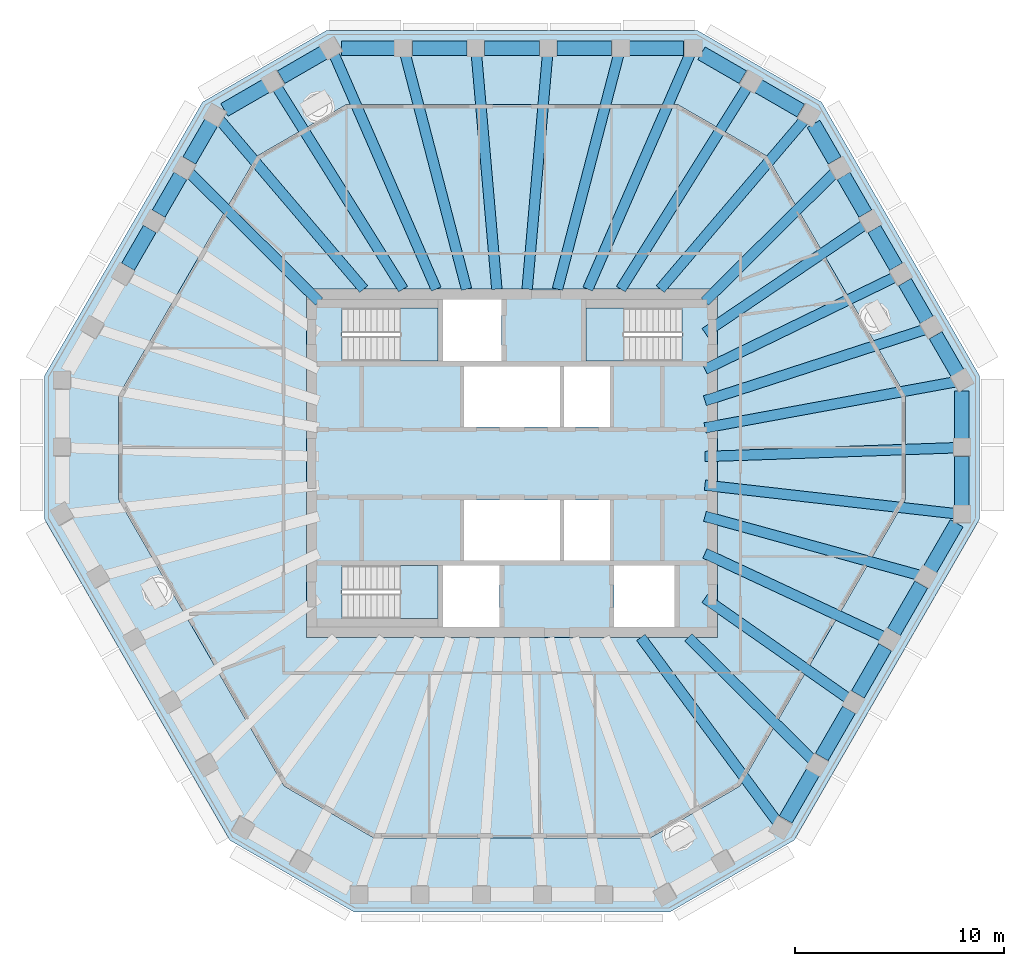
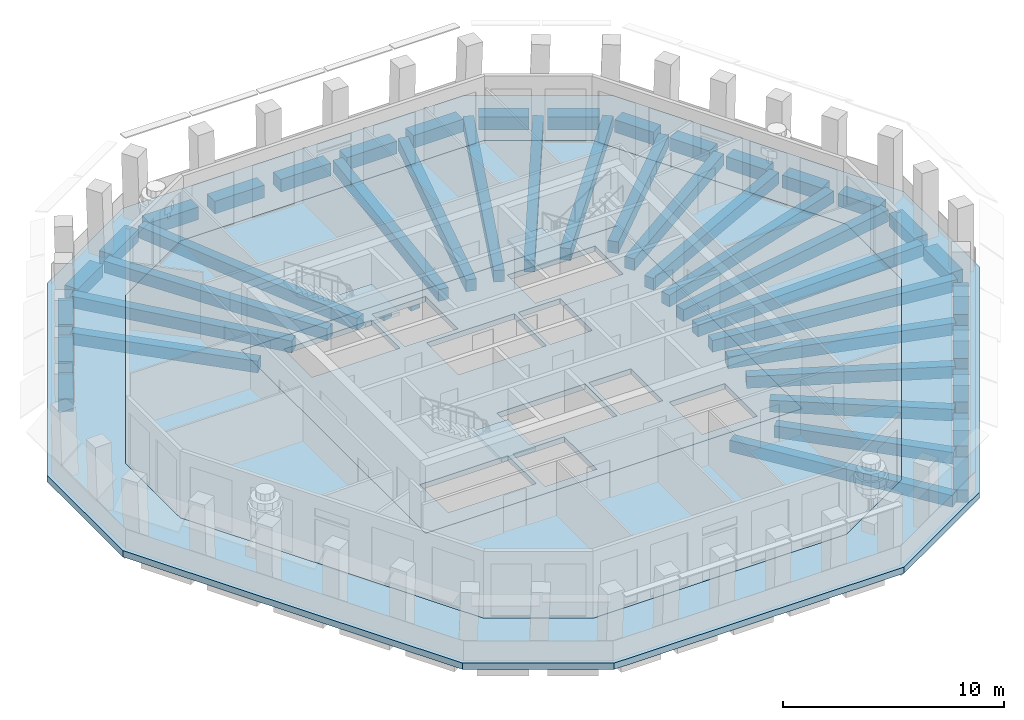
# One storey, part 2 of 11: 47 beams, 6 slabs, 3 elements without a shape of their own.
"""IFC4 building model written with IfcOpenShell, lengths in metres."""

from ifc_helpers import new_model, si_unit, direction, frame, origin, origin_2d, place, context, subcontext, project, spatial, polyline, rectangle, outline, extrude, material, layer, layer_set, material_profile, profile_set, type_object, element, aggregate, save


model = new_model("IFC4")

# Units and contexts
model_context = context("Model", 3, precision=1e-05, world=origin(), true_north=direction((0.0, 1.0)))
body_context = subcontext(model_context, "Body", "Model", "MODEL_VIEW")
ifc_project = project(units=[si_unit("LENGTHUNIT", "METRE"), si_unit("AREAUNIT", "SQUARE_METRE"), si_unit("VOLUMEUNIT", "CUBIC_METRE"), si_unit("PLANEANGLEUNIT", "RADIAN"), si_unit("MASSUNIT", "GRAM", prefix="KILO")], contexts=[model_context])

# Site, building, storey
site_placement = place(None, origin())
site = spatial("IfcSite", under=ifc_project, at=site_placement, CompositionType="ELEMENT")
building_placement = place(site_placement, origin())
building = spatial("IfcBuilding", under=site, at=building_placement, Name="Frailejon Research Tower", CompositionType="ELEMENT")
storey_placement = place(building_placement, frame((0.0, 0.0, 332.60009765625)))
storey = spatial("IfcBuildingStorey", under=building, at=storey_placement, Name="L74", CompositionType="ELEMENT", Elevation=332.60009765625)

# Beams
ifc_material_1 = material(Name="Concrete C60/75", Category="concrete")
ifc_material_profile_1 = material_profile(ifc_material_1, rectangle(XDim=0.5, YDim=0.64990234375, at=origin_2d()), Name="Girder 500x650")
ifc_profile_set_1 = profile_set([ifc_material_profile_1], Name="Concrete C60/75")
beam_type_1 = type_object("IfcBeamType", Name="Girder 500x650", PredefinedType="BEAM", material=ifc_profile_set_1)
beam_1_placement = place(storey_placement, frame((21.287109375, -2.42041015625, -0.625), z_axis=(-0.99359785348, 0.112974800556, 0.0), x_axis=(-0.112974800556, -0.99359785348, 0.0)))
element("IfcBeam", 1, at=beam_1_placement, inside=storey, type_object=beam_type_1, Name="Girder 500x650", PredefinedType="BEAM", context=body_context, shape_type="SweptSolid", body=[
    extrude(rectangle(XDim=0.5, YDim=0.64990234375, at=origin_2d()), origin(), (0.0, 0.0, 1.0), 12.11474609375),
])
beam_2_placement = place(storey_placement, frame((21.287841796875, 0.74462890625, -0.625), z_axis=(-0.999388589906, -0.034963500468, 0.0), x_axis=(0.034963500468, -0.999388589906, 0.0)))
element("IfcBeam", 2, at=beam_2_placement, inside=storey, type_object=beam_type_1, Name="Girder 500x650", PredefinedType="BEAM", context=body_context, shape_type="SweptSolid", body=[
    extrude(rectangle(XDim=0.5, YDim=0.64990234375, at=origin_2d()), origin(), (0.0, 0.0, 1.0), 12.045166015625),
])
beam_3_placement = place(storey_placement, frame((21.266845703125, 3.906005859375, -0.625), z_axis=(-0.983549267448, -0.180640080001, 0.0), x_axis=(0.180640080001, -0.983549267448, 0.0)))
element("IfcBeam", 3, at=beam_3_placement, inside=storey, type_object=beam_type_1, Name="Girder 500x650", PredefinedType="BEAM", context=body_context, shape_type="SweptSolid", body=[
    extrude(rectangle(XDim=0.5, YDim=0.64990234375, at=origin_2d()), origin(), (0.0, 0.0, 1.0), 12.2177734375),
])
beam_4_placement = place(storey_placement, frame((19.822021484375, 6.419189453125, -0.625), z_axis=(-0.951359510506, -0.30808291379, 0.0), x_axis=(0.30808291379, -0.951359510506, 0.0)))
element("IfcBeam", 4, at=beam_4_placement, inside=storey, type_object=beam_type_1, Name="Girder 500x650", PredefinedType="BEAM", context=body_context, shape_type="SweptSolid", body=[
    extrude(rectangle(XDim=0.5, YDim=0.64990234375, at=origin_2d()), origin(), (0.0, 0.0, 1.0), 11.112548828125),
])
beam_5_placement = place(storey_placement, frame((18.3740234375, 8.93310546875, -0.625), z_axis=(-0.899348403181, -0.437232718008, 0.0), x_axis=(0.437232718008, -0.899348403181, 0.0)))
element("IfcBeam", 5, at=beam_5_placement, inside=storey, type_object=beam_type_1, Name="Girder 500x650", PredefinedType="BEAM", context=body_context, shape_type="SweptSolid", body=[
    extrude(rectangle(XDim=0.5, YDim=0.64990234375, at=origin_2d()), origin(), (0.0, 0.0, 1.0), 10.145263671875),
])
beam_6_placement = place(storey_placement, frame((16.923095703125, 11.44580078125, -0.625), z_axis=(-0.828329818022, -0.560240763044, 0.0), x_axis=(0.560240763044, -0.828329818022, 0.0)))
element("IfcBeam", 6, at=beam_6_placement, inside=storey, type_object=beam_type_1, Name="Girder 500x650", PredefinedType="BEAM", context=body_context, shape_type="SweptSolid", body=[
    extrude(rectangle(XDim=0.5, YDim=0.64990234375, at=origin_2d()), origin(), (0.0, 0.0, 1.0), 9.263427734375),
])
beam_7_placement = place(storey_placement, frame((15.476318359375, 13.94287109375, -0.625), z_axis=(-0.709008584421, -0.705199849133, 0.0), x_axis=(0.705199849133, -0.709008584421, 0.0)))
element("IfcBeam", 7, at=beam_7_placement, inside=storey, type_object=beam_type_1, Name="Girder 500x650", PredefinedType="BEAM", context=body_context, shape_type="SweptSolid", body=[
    extrude(rectangle(XDim=0.5, YDim=0.64990234375, at=origin_2d()), origin(), (0.0, 0.0, 1.0), 8.78173828125),
])
beam_8_placement = place(storey_placement, frame((14.0283203125, 16.47900390625, -0.625), z_axis=(-0.64822444311, -0.761449322907, 0.0), x_axis=(0.761449322907, -0.64822444311, 0.0)))
element("IfcBeam", 8, at=beam_8_placement, inside=storey, type_object=beam_type_1, Name="Girder 500x650", PredefinedType="BEAM", context=body_context, shape_type="SweptSolid", body=[
    extrude(rectangle(XDim=0.5, YDim=0.64990234375, at=origin_2d()), origin(), (0.0, 0.0, 1.0), 10.675537109375),
])
beam_9_placement = place(storey_placement, frame((11.288818359375, 18.063720703125, -0.625), z_axis=(-0.529970201852, -0.848016264672, 0.0), x_axis=(0.848016264672, -0.529970201852, 0.0)))
element("IfcBeam", 9, at=beam_9_placement, inside=storey, type_object=beam_type_1, Name="Girder 500x650", PredefinedType="BEAM", context=body_context, shape_type="SweptSolid", body=[
    extrude(rectangle(XDim=0.5, YDim=0.64990234375, at=origin_2d()), origin(), (0.0, 0.0, 1.0), 11.45458984375),
])
beam_10_placement = place(storey_placement, frame((8.532958984375, 19.612548828125, -0.625), z_axis=(-0.398960867485, -0.916967952666, 0.0), x_axis=(0.916967952666, -0.398960867485, 0.0)))
element("IfcBeam", 10, at=beam_10_placement, inside=storey, type_object=beam_type_1, Name="Girder 500x650", PredefinedType="BEAM", context=body_context, shape_type="SweptSolid", body=[
    extrude(rectangle(XDim=0.5, YDim=0.64990234375, at=origin_2d()), origin(), (0.0, 0.0, 1.0), 12.2822265625),
])
beam_11_placement = place(storey_placement, frame((5.121826171875, 19.6201171875, -0.625), z_axis=(-0.252593397221, -0.967572517014, 0.0), x_axis=(0.967572517014, -0.252593397221, 0.0)))
element("IfcBeam", 11, at=beam_11_placement, inside=storey, type_object=beam_type_1, Name="Girder 500x650", PredefinedType="BEAM", context=body_context, shape_type="SweptSolid", body=[
    extrude(rectangle(XDim=0.5, YDim=0.64990234375, at=origin_2d()), origin(), (0.0, 0.0, 1.0), 11.647705078125),
])
for number, where, z_axis, x_axis, name in (
    (12, (1.70751953125, 19.62451171875, -0.625), (-0.086679885548, -0.996236215684, 0.0), (0.996236215684, -0.086679885548, 0.0), "Girder 500x650"),
    (13, (-1.70751953125, 19.62451171875, -0.625), (0.086679885548, -0.996236215684, 0.0), (0.996236215684, 0.086679885548, 0.0), "Girder 500x650"),
):
    element("IfcBeam", number, at=place(storey_placement, frame(where, z_axis=z_axis, x_axis=x_axis)), inside=storey, type_object=beam_type_1, Name=name, PredefinedType="BEAM", context=body_context, shape_type="SweptSolid", body=[
        extrude(rectangle(XDim=0.5, YDim=0.64990234375, at=origin_2d()), origin(), (0.0, 0.0, 1.0), 11.31689453125),
    ])
beam_12_placement = place(storey_placement, frame((-5.121826171875, 19.6201171875, -0.625), z_axis=(0.252593397221, -0.967572517014, 0.0), x_axis=(0.967572517014, 0.252593397221, 0.0)))
element("IfcBeam", 14, at=beam_12_placement, inside=storey, type_object=beam_type_1, Name="Girder 500x650", PredefinedType="BEAM", context=body_context, shape_type="SweptSolid", body=[
    extrude(rectangle(XDim=0.5, YDim=0.64990234375, at=origin_2d()), origin(), (0.0, 0.0, 1.0), 11.647705078125),
])
beam_13_placement = place(storey_placement, frame((-8.54736328125, 19.645263671875, -0.625), z_axis=(0.398972505303, -0.916962889114, 0.0), x_axis=(0.916962889114, 0.398972505303, 0.0)))
element("IfcBeam", 15, at=beam_13_placement, inside=storey, type_object=beam_type_1, Name="Girder 500x650", PredefinedType="BEAM", context=body_context, shape_type="SweptSolid", body=[
    extrude(rectangle(XDim=0.5, YDim=0.64990234375, at=origin_2d()), origin(), (0.0, 0.0, 1.0), 12.318115234375),
])
beam_14_placement = place(storey_placement, frame((-11.288818359375, 18.063720703125, -0.625), z_axis=(0.529970201852, -0.848016264672, 0.0), x_axis=(0.848016264672, 0.529970201852, 0.0)))
element("IfcBeam", 16, at=beam_14_placement, inside=storey, type_object=beam_type_1, Name="Girder 500x650", PredefinedType="BEAM", context=body_context, shape_type="SweptSolid", body=[
    extrude(rectangle(XDim=0.5, YDim=0.64990234375, at=origin_2d()), origin(), (0.0, 0.0, 1.0), 11.45458984375),
])
beam_15_placement = place(storey_placement, frame((-14.01611328125, 16.464599609375, -0.625), z_axis=(0.648227457097, -0.761446757079, 0.0), x_axis=(0.761446757079, 0.648227457097, 0.0)))
element("IfcBeam", 17, at=beam_15_placement, inside=storey, type_object=beam_type_1, Name="Girder 500x650", PredefinedType="BEAM", context=body_context, shape_type="SweptSolid", body=[
    extrude(rectangle(XDim=0.5, YDim=0.64990234375, at=origin_2d()), origin(), (0.0, 0.0, 1.0), 10.65673828125),
])
beam_16_placement = place(storey_placement, frame((-15.476318359375, 13.94287109375, -0.625), z_axis=(0.709008584421, -0.705199849133, 0.0), x_axis=(0.705199849133, 0.709008584421, 0.0)))
element("IfcBeam", 18, at=beam_16_placement, inside=storey, type_object=beam_type_1, Name="Girder 500x650", PredefinedType="BEAM", context=body_context, shape_type="SweptSolid", body=[
    extrude(rectangle(XDim=0.5, YDim=0.64990234375, at=origin_2d()), origin(), (0.0, 0.0, 1.0), 8.78173828125),
])
beam_17_placement = place(storey_placement, frame((12.718505859375, -17.1962890625, -0.625), z_axis=(-0.59463996587, 0.803992108786, 0.0), x_axis=(-0.803992108786, -0.59463996587, 0.0)))
element("IfcBeam", 19, at=beam_17_placement, inside=storey, type_object=beam_type_1, Name="Girder 500x650", PredefinedType="BEAM", context=body_context, shape_type="SweptSolid", body=[
    extrude(rectangle(XDim=0.5, YDim=0.64990234375, at=origin_2d()), origin(), (0.0, 0.0, 1.0), 11.0029296875),
])
beam_18_placement = place(storey_placement, frame((14.4306640625, -14.24560546875, -0.625), z_axis=(-0.711659544092, 0.702524514379, 0.0), x_axis=(-0.702524514379, -0.711659544092, 0.0)))
element("IfcBeam", 20, at=beam_18_placement, inside=storey, type_object=beam_type_1, Name="Girder 500x650", PredefinedType="BEAM", context=body_context, shape_type="SweptSolid", body=[
    extrude(rectangle(XDim=0.5, YDim=0.64990234375, at=origin_2d()), origin(), (0.0, 0.0, 1.0), 8.391845703125),
])
beam_19_placement = place(storey_placement, frame((16.141357421875, -11.291015625, -0.625), z_axis=(-0.819421445567, 0.573191499016, 0.0), x_axis=(-0.573191499016, -0.819421445567, 0.0)))
element("IfcBeam", 21, at=beam_19_placement, inside=storey, type_object=beam_type_1, Name="Girder 500x650", PredefinedType="BEAM", context=body_context, shape_type="SweptSolid", body=[
    extrude(rectangle(XDim=0.5, YDim=0.64990234375, at=origin_2d()), origin(), (0.0, 0.0, 1.0), 8.409912109375),
])
beam_20_placement = place(storey_placement, frame((17.84912109375, -8.33349609375, -0.625), z_axis=(-0.906103600252, 0.423055865827, 0.0), x_axis=(-0.423055865827, -0.906103600252, 0.0)))
element("IfcBeam", 22, at=beam_20_placement, inside=storey, type_object=beam_type_1, Name="Girder 500x650", PredefinedType="BEAM", context=body_context, shape_type="SweptSolid", body=[
    extrude(rectangle(XDim=0.5, YDim=0.64990234375, at=origin_2d()), origin(), (0.0, 0.0, 1.0), 9.490234375),
])
beam_21_placement = place(storey_placement, frame((19.552490234375, -5.37451171875, -0.625), z_axis=(-0.964232990399, 0.265056107695, 0.0), x_axis=(-0.265056107695, -0.964232990399, 0.0)))
element("IfcBeam", 23, at=beam_21_placement, inside=storey, type_object=beam_type_1, Name="Girder 500x650", PredefinedType="BEAM", context=body_context, shape_type="SweptSolid", body=[
    extrude(rectangle(XDim=0.5, YDim=0.64990234375, at=origin_2d()), origin(), (0.0, 0.0, 1.0), 10.6845703125),
])
ifc_material_2 = material(Name="Concrete C60/75", Category="concrete")
ifc_material_profile_2 = material_profile(ifc_material_2, rectangle(XDim=0.699951171875, YDim=0.699951171875, at=origin_2d()), Name="Spandrel 700x700")
ifc_profile_set_2 = profile_set([ifc_material_profile_2], Name="Concrete C60/75")
beam_type_2 = type_object("IfcBeamType", Name="Spandrel 700x700", PredefinedType="BEAM", material=ifc_profile_set_2)
beam_22_placement = place(storey_placement, frame((21.56298828125, -2.02685546875, -0.7001953125), z_axis=(0.0, 1.0, 0.0), x_axis=(-1.0, 0.0, 0.0)))
element("IfcBeam", 24, at=beam_22_placement, inside=storey, type_object=beam_type_2, Name="Spandrel 700x700", PredefinedType="BEAM", context=body_context, shape_type="SweptSolid", body=[
    extrude(rectangle(XDim=0.699951171875, YDim=0.699951171875, at=origin_2d()), origin(), (0.0, 0.0, 1.0), 2.35595703125),
])
beam_23_placement = place(storey_placement, frame((21.56298828125, 1.17919921875, -0.7001953125), z_axis=(0.0, 1.0, 0.0), x_axis=(-1.0, 0.0, 0.0)))
element("IfcBeam", 25, at=beam_23_placement, inside=storey, type_object=beam_type_2, Name="Spandrel 700x700", PredefinedType="BEAM", context=body_context, shape_type="SweptSolid", body=[
    extrude(rectangle(XDim=0.699951171875, YDim=0.699951171875, at=origin_2d()), origin(), (0.0, 0.0, 1.0), 2.290283203125),
])
beam_24_placement = place(storey_placement, frame((21.3505859375, 4.328369140625, -0.7001953125), z_axis=(-0.50003244019, 0.866006673622, 0.0), x_axis=(-0.866006673622, -0.50003244019, 0.0)))
element("IfcBeam", 26, at=beam_24_placement, inside=storey, type_object=beam_type_2, Name="Spandrel 700x700", PredefinedType="BEAM", context=body_context, shape_type="SweptSolid", body=[
    extrude(rectangle(XDim=0.699951171875, YDim=0.699951171875, at=origin_2d()), origin(), (0.0, 0.0, 1.0), 2.090576171875),
])
beam_25_placement = place(storey_placement, frame((19.880126953125, 6.875, -0.7001953125), z_axis=(-0.499981877015, 0.866035866842, 0.0), x_axis=(-0.866035866842, -0.499981877015, 0.0)))
element("IfcBeam", 27, at=beam_25_placement, inside=storey, type_object=beam_type_2, Name="Spandrel 700x700", PredefinedType="BEAM", context=body_context, shape_type="SweptSolid", body=[
    extrude(rectangle(XDim=0.699951171875, YDim=0.699951171875, at=origin_2d()), origin(), (0.0, 0.0, 1.0), 2.0908203125),
])
for number, where, z_axis, x_axis, name in (
    (28, (18.409912109375, 9.421875, -0.7001953125), (-0.50003244019, 0.866006673622, 0.0), (-0.866006673622, -0.50003244019, 0.0), "Spandrel 700x700"),
    (29, (16.939453125, 11.968505859375, -0.7001953125), (-0.50003244019, 0.866006673622, 0.0), (-0.866006673622, -0.50003244019, 0.0), "Spandrel 700x700"),
):
    element("IfcBeam", number, at=place(storey_placement, frame(where, z_axis=z_axis, x_axis=x_axis)), inside=storey, type_object=beam_type_2, Name=name, PredefinedType="BEAM", context=body_context, shape_type="SweptSolid", body=[
        extrude(rectangle(XDim=0.699951171875, YDim=0.699951171875, at=origin_2d()), origin(), (0.0, 0.0, 1.0), 2.090576171875),
    ])
beam_26_placement = place(storey_placement, frame((15.468994140625, 14.515380859375, -0.7001953125), z_axis=(-0.500042536776, 0.866000843773, 0.0), x_axis=(-0.866000843773, -0.500042536776, 0.0)))
element("IfcBeam", 30, at=beam_26_placement, inside=storey, type_object=beam_type_2, Name="Spandrel 700x700", PredefinedType="BEAM", context=body_context, shape_type="SweptSolid", body=[
    extrude(rectangle(XDim=0.699951171875, YDim=0.699951171875, at=origin_2d()), origin(), (0.0, 0.0, 1.0), 2.024658203125),
])
beam_27_placement = place(storey_placement, frame((13.843017578125, 16.906494140625, -0.7001953125), z_axis=(-0.866021643438, 0.500006513054, 0.0), x_axis=(-0.500006513054, -0.866021643438, 0.0)))
element("IfcBeam", 31, at=beam_27_placement, inside=storey, type_object=beam_type_2, Name="Spandrel 700x700", PredefinedType="BEAM", context=body_context, shape_type="SweptSolid", body=[
    extrude(rectangle(XDim=0.699951171875, YDim=0.699951171875, at=origin_2d()), origin(), (0.0, 0.0, 1.0), 2.35595703125),
])
beam_28_placement = place(storey_placement, frame((11.066650390625, 18.509521484375, -0.7001953125), z_axis=(-0.866070215109, 0.499922376475, 0.0), x_axis=(-0.499922376475, -0.866070215109, 0.0)))
element("IfcBeam", 32, at=beam_28_placement, inside=storey, type_object=beam_type_2, Name="Spandrel 700x700", PredefinedType="BEAM", context=body_context, shape_type="SweptSolid", body=[
    extrude(rectangle(XDim=0.699951171875, YDim=0.699951171875, at=origin_2d()), origin(), (0.0, 0.0, 1.0), 2.290283203125),
])
beam_29_placement = place(storey_placement, frame((8.233154296875, 19.89990234375, -0.7001953125), z_axis=(-1.0, 0.0, 0.0), x_axis=(0.0, -1.0, 0.0)))
element("IfcBeam", 33, at=beam_29_placement, inside=storey, type_object=beam_type_2, Name="Spandrel 700x700", PredefinedType="BEAM", context=body_context, shape_type="SweptSolid", body=[
    extrude(rectangle(XDim=0.699951171875, YDim=0.699951171875, at=origin_2d()), origin(), (0.0, 0.0, 1.0), 2.61328125),
])
beam_30_placement = place(storey_placement, frame((4.77001953125, 19.89990234375, -0.7001953125), z_axis=(-1.0, 0.0, 0.0), x_axis=(0.0, -1.0, 0.0)))
element("IfcBeam", 34, at=beam_30_placement, inside=storey, type_object=beam_type_2, Name="Spandrel 700x700", PredefinedType="BEAM", context=body_context, shape_type="SweptSolid", body=[
    extrude(rectangle(XDim=0.699951171875, YDim=0.699951171875, at=origin_2d()), origin(), (0.0, 0.0, 1.0), 2.613525390625),
])
beam_31_placement = place(storey_placement, frame((1.306640625, 19.89990234375, -0.7001953125), z_axis=(-1.0, 0.0, 0.0), x_axis=(0.0, -1.0, 0.0)))
element("IfcBeam", 35, at=beam_31_placement, inside=storey, type_object=beam_type_2, Name="Spandrel 700x700", PredefinedType="BEAM", context=body_context, shape_type="SweptSolid", body=[
    extrude(rectangle(XDim=0.699951171875, YDim=0.699951171875, at=origin_2d()), origin(), (0.0, 0.0, 1.0), 2.61328125),
])
beam_32_placement = place(storey_placement, frame((-2.156494140625, 19.89990234375, -0.7001953125), z_axis=(-1.0, 0.0, 0.0), x_axis=(0.0, -1.0, 0.0)))
element("IfcBeam", 36, at=beam_32_placement, inside=storey, type_object=beam_type_2, Name="Spandrel 700x700", PredefinedType="BEAM", context=body_context, shape_type="SweptSolid", body=[
    extrude(rectangle(XDim=0.699951171875, YDim=0.699951171875, at=origin_2d()), origin(), (0.0, 0.0, 1.0), 2.613525390625),
])
beam_33_placement = place(storey_placement, frame((-5.619873046875, 19.89990234375, -0.7001953125), z_axis=(-1.0, 0.0, 0.0), x_axis=(0.0, -1.0, 0.0)))
element("IfcBeam", 37, at=beam_33_placement, inside=storey, type_object=beam_type_2, Name="Spandrel 700x700", PredefinedType="BEAM", context=body_context, shape_type="SweptSolid", body=[
    extrude(rectangle(XDim=0.699951171875, YDim=0.699951171875, at=origin_2d()), origin(), (0.0, 0.0, 1.0), 2.547607421875),
])
beam_34_placement = place(storey_placement, frame((-9.026123046875, 19.6875, -0.7001953125), z_axis=(-0.866047547699, -0.499961643653, 0.0), x_axis=(0.499961643653, -0.866047547699, 0.0)))
element("IfcBeam", 38, at=beam_34_placement, inside=storey, type_object=beam_type_2, Name="Spandrel 700x700", PredefinedType="BEAM", context=body_context, shape_type="SweptSolid", body=[
    extrude(rectangle(XDim=0.699951171875, YDim=0.699951171875, at=origin_2d()), origin(), (0.0, 0.0, 1.0), 2.356201171875),
])
beam_35_placement = place(storey_placement, frame((-11.802734375, 18.08447265625, -0.7001953125), z_axis=(-0.86599741159, -0.500048480769, 0.0), x_axis=(0.500048480769, -0.86599741159, 0.0)))
element("IfcBeam", 39, at=beam_35_placement, inside=storey, type_object=beam_type_2, Name="Spandrel 700x700", PredefinedType="BEAM", context=body_context, shape_type="SweptSolid", body=[
    extrude(rectangle(XDim=0.699951171875, YDim=0.699951171875, at=origin_2d()), origin(), (0.0, 0.0, 1.0), 2.290283203125),
])
for number, where, z_axis, x_axis, name in (
    (40, (-14.423583984375, 16.32568359375, -0.7001953125), (-0.500083011888, -0.865977471544, 0.0), (0.865977471544, -0.500083011888, 0.0), "Spandrel 700x700"),
    (41, (-15.89404296875, 13.779052734375, -0.7001953125), (-0.50003244019, -0.866006673622, 0.0), (0.866006673622, -0.50003244019, 0.0), "Spandrel 700x700"),
    (42, (-17.364501953125, 11.232421875, -0.7001953125), (-0.50003244019, -0.866006673622, 0.0), (0.866006673622, -0.50003244019, 0.0), "Spandrel 700x700"),
):
    element("IfcBeam", number, at=place(storey_placement, frame(where, z_axis=z_axis, x_axis=x_axis)), inside=storey, type_object=beam_type_2, Name=name, PredefinedType="BEAM", context=body_context, shape_type="SweptSolid", body=[
        extrude(rectangle(XDim=0.699951171875, YDim=0.699951171875, at=origin_2d()), origin(), (0.0, 0.0, 1.0), 2.090576171875),
    ])
beam_36_placement = place(storey_placement, frame((13.1171875, -17.080078125, -0.7001953125), z_axis=(0.50006747008, 0.865986446411, 0.0), x_axis=(-0.865986446411, 0.50006747008, 0.0)))
element("IfcBeam", 43, at=beam_36_placement, inside=storey, type_object=beam_type_2, Name="Spandrel 700x700", PredefinedType="BEAM", context=body_context, shape_type="SweptSolid", body=[
    extrude(rectangle(XDim=0.699951171875, YDim=0.699951171875, at=origin_2d()), origin(), (0.0, 0.0, 1.0), 2.613525390625),
])
beam_37_placement = place(storey_placement, frame((14.84912109375, -14.080810546875, -0.7001953125), z_axis=(0.499927335793, 0.86606735242, 0.0), x_axis=(-0.86606735242, 0.499927335793, 0.0)))
element("IfcBeam", 44, at=beam_37_placement, inside=storey, type_object=beam_type_2, Name="Spandrel 700x700", PredefinedType="BEAM", context=body_context, shape_type="SweptSolid", body=[
    extrude(rectangle(XDim=0.699951171875, YDim=0.699951171875, at=origin_2d()), origin(), (0.0, 0.0, 1.0), 2.61328125),
])
beam_38_placement = place(storey_placement, frame((16.58056640625, -11.08154296875, -0.7001953125), z_axis=(0.500037863578, 0.866003542134, 0.0), x_axis=(-0.866003542134, 0.500037863578, 0.0)))
element("IfcBeam", 45, at=beam_38_placement, inside=storey, type_object=beam_type_2, Name="Spandrel 700x700", PredefinedType="BEAM", context=body_context, shape_type="SweptSolid", body=[
    extrude(rectangle(XDim=0.699951171875, YDim=0.699951171875, at=origin_2d()), origin(), (0.0, 0.0, 1.0), 2.613037109375),
])
beam_39_placement = place(storey_placement, frame((18.312255859375, -8.082275390625, -0.7001953125), z_axis=(0.499997407846, 0.86602690036, 0.0), x_axis=(-0.86602690036, 0.499997407846, 0.0)))
element("IfcBeam", 46, at=beam_39_placement, inside=storey, type_object=beam_type_2, Name="Spandrel 700x700", PredefinedType="BEAM", context=body_context, shape_type="SweptSolid", body=[
    extrude(rectangle(XDim=0.699951171875, YDim=0.699951171875, at=origin_2d()), origin(), (0.0, 0.0, 1.0), 2.61328125),
])
beam_40_placement = place(storey_placement, frame((20.043701171875, -5.0830078125, -0.7001953125), z_axis=(0.500034901704, 0.866005252338, 0.0), x_axis=(-0.866005252338, 0.500034901704, 0.0)))
element("IfcBeam", 47, at=beam_40_placement, inside=storey, type_object=beam_type_2, Name="Spandrel 700x700", PredefinedType="BEAM", context=body_context, shape_type="SweptSolid", body=[
    extrude(rectangle(XDim=0.699951171875, YDim=0.699951171875, at=origin_2d()), origin(), (0.0, 0.0, 1.0), 2.547607421875),
])

# Slabs
ifc_material_3 = material(Name="Concrete C50/60", Category="concrete")
ifc_layer_1 = layer(ifc_material_3, 0.300048828125)
ifc_layer_set_1 = layer_set([ifc_layer_1], Name="Core floor slab 300 C50/60")
slab_type_1 = type_object("IfcSlabType", Name="Core floor slab 300 C50/60", PredefinedType="FLOOR", material=ifc_layer_set_1)
slab_1_placement = place(storey_placement, frame((0.0, 0.0, -0.300048828125)))
element("IfcSlab", 48, at=slab_1_placement, inside=storey, type_object=slab_type_1, Name="Core floor slab", PredefinedType="FLOOR", context=body_context, shape_type="SweptSolid", body=[
    extrude(outline(polyline([(9.85009765625, -8.35009765625), (9.85009765625, 8.35009765625), (-9.85009765625, 8.35009765625), (-9.85009765625, -8.35009765625), (9.85009765625, -8.35009765625)]), holes=[polyline([(2.300048828125, 1.75), (2.300048828125, 4.64990234375), (-2.300048828125, 4.64990234375), (-2.300048828125, 1.75), (2.300048828125, 1.75)]), polyline([(4.699951171875, 1.75), (4.699951171875, 4.64990234375), (2.5, 4.64990234375), (2.5, 1.75), (4.699951171875, 1.75)]), polyline([(2.300048828125, -4.64990234375), (2.300048828125, -1.75), (-2.300048828125, -1.75), (-2.300048828125, -4.64990234375), (2.300048828125, -4.64990234375)]), polyline([(4.699951171875, -4.64990234375), (4.699951171875, -1.75), (2.5, -1.75), (2.5, -4.64990234375), (4.699951171875, -4.64990234375)]), polyline([(-8.14697265625, 4.89990234375), (-3.550048828125, 4.89990234375), (-3.550048828125, 7.449951171875), (-8.14697265625, 7.449951171875), (-8.14697265625, 4.89990234375)]), polyline([(-8.14697265625, -7.449951171875), (-3.550048828125, -7.449951171875), (-3.550048828125, -4.89990234375), (-8.14697265625, -4.89990234375), (-8.14697265625, -7.449951171875)]), polyline([(8.14697265625, 7.449951171875), (3.550048828125, 7.449951171875), (3.550048828125, 4.89990234375), (8.14697265625, 4.89990234375), (8.14697265625, 7.449951171875)]), polyline([(-0.60009765625, -7.85009765625), (-0.60009765625, -4.89990234375), (-3.300048828125, -4.89990234375), (-3.300048828125, -7.85009765625), (-0.60009765625, -7.85009765625)]), polyline([(7.800048828125, -7.85009765625), (7.800048828125, -4.89990234375), (4.89990234375, -4.89990234375), (4.89990234375, -7.85009765625), (7.800048828125, -7.85009765625)]), polyline([(-0.5, 4.89990234375), (-0.5, 7.85009765625), (-3.300048828125, 7.85009765625), (-3.300048828125, 4.89990234375), (-0.5, 4.89990234375)])]), origin(), (0.0, 0.0, 1.0), 0.300048828125),
])
ifc_material_4 = material(Name="Concrete C40/50", Category="concrete")
ifc_layer_2 = layer(ifc_material_4, 0.35009765625)
ifc_layer_set_2 = layer_set([ifc_layer_2], Name="Loggia slab 350")
slab_type_2 = type_object("IfcSlabType", Name="Loggia slab 350", PredefinedType="USERDEFINED", material=ifc_layer_set_2)
slab_2_placement = place(storey_placement, frame((0.0, 0.0, -0.35009765625)))
element("IfcSlab", 49, at=slab_2_placement, inside=storey, type_object=slab_type_2, Name="Loggia slab L74", ObjectType="LOGGIA", PredefinedType="USERDEFINED", context=body_context, shape_type="SweptSolid", body=[
    extrude(outline(polyline([(13.527099609375, -18.0703125), (7.57958984375, -21.504150390625), (-7.57958984375, -21.504150390625), (-13.527099609375, -18.0703125), (-22.4130859375, -2.6796875), (-22.4130859375, 4.18798828125), (-14.83349609375, 17.316162109375), (-8.885986328125, 20.75), (8.885986328125, 20.75), (14.83349609375, 17.316162109375), (22.4130859375, 4.18798828125), (22.4130859375, -2.6796875), (13.527099609375, -18.0703125)]), holes=[polyline([(18.863037109375, 3.23681640625), (12.234619140625, 14.71728515625), (7.934814453125, 17.199951171875), (-7.934814453125, 17.199951171875), (-12.234619140625, 14.71728515625), (-18.863037109375, 3.23681640625), (-18.863037109375, -1.728515625), (-10.92822265625, -15.4716796875), (-6.62841796875, -17.9541015625), (6.62841796875, -17.9541015625), (10.92822265625, -15.4716796875), (18.863037109375, -1.728515625), (18.863037109375, 3.23681640625)])]), origin(), (0.0, 0.0, 1.0), 0.35009765625),
])
ifc_material_5 = material(Name="Concrete C40/50", Category="concrete")
ifc_layer_3 = layer(ifc_material_5, 0.300048828125)
ifc_layer_set_3 = layer_set([ifc_layer_3], Name="Slab typical 300")
slab_type_3 = type_object("IfcSlabType", Name="Slab typical 300", PredefinedType="FLOOR", material=ifc_layer_set_3)
slab_3_placement = place(storey_placement, frame((0.0, 0.0, -0.300048828125)))
element("IfcSlab", 50, at=slab_3_placement, inside=storey, type_object=slab_type_3, Name="Floor slab L74", PredefinedType="FLOOR", context=body_context, shape_type="SweptSolid", body=[
    extrude(outline(polyline([(18.863037109375, -1.728515625), (18.863037109375, 3.23681640625), (12.234619140625, 14.71728515625), (7.934814453125, 17.199951171875), (-7.934814453125, 17.199951171875), (-12.234619140625, 14.71728515625), (-18.863037109375, 3.23681640625), (-18.863037109375, -1.728515625), (-10.92822265625, -15.4716796875), (-6.62841796875, -17.9541015625), (6.62841796875, -17.9541015625), (10.92822265625, -15.4716796875), (18.863037109375, -1.728515625)]), holes=[polyline([(9.25, 8.35009765625), (9.85009765625, 8.35009765625), (9.85009765625, -8.35009765625), (9.25, -8.35009765625), (-9.25, -8.35009765625), (-9.85009765625, -8.35009765625), (-9.85009765625, 8.35009765625), (-9.25, 8.35009765625), (9.25, 8.35009765625)])]), origin(), (0.0, 0.0, 1.0), 0.300048828125),
])

# Stair, slab
ifc_material_6 = material(Name="Concrete C50/60", Category="concrete")
stair_type = type_object("IfcStairType", Name="Exit stair 22 risers", PredefinedType="HALF_TURN_STAIR", material=ifc_material_6)
stair_1_placement = place(storey_placement, origin())
stair_1 = element("IfcStair", 51, at=stair_1_placement, inside=storey, type_object=stair_type, Name="L74 Exit stair ST1", PredefinedType="HALF_TURN_STAIR")
ifc_material_7 = material(Name="Concrete C50/60", Category="concrete")
ifc_layer_4 = layer(ifc_material_7, 0.199951171875)
ifc_layer_set_4 = layer_set([ifc_layer_4], Name="Stair landing slab 200")
slab_type_4 = type_object("IfcSlabType", Name="Stair landing slab 200", PredefinedType="LANDING", material=ifc_layer_set_4)
slab_4_placement = place(storey_placement, frame((0.0, 0.0, 1.7998046875)))
slab_4 = element("IfcSlab", 52, at=slab_4_placement, type_object=slab_type_4, Name="ST1 landing 1", PredefinedType="LANDING", context=body_context, shape_type="SweptSolid", body=[
    extrude(outline(polyline([(-5.35009765625, 4.89990234375), (-3.550048828125, 4.89990234375), (-3.550048828125, 7.449951171875), (-5.35009765625, 7.449951171875), (-5.35009765625, 4.89990234375)])), origin(), (0.0, 0.0, 1.0), 0.2001953125),
])
aggregate(stair_1, [slab_4])

stair_2_placement = place(storey_placement, origin())
stair_2 = element("IfcStair", 53, at=stair_2_placement, inside=storey, type_object=stair_type, Name="L74 Exit stair ST2", PredefinedType="HALF_TURN_STAIR")
slab_5_placement = place(storey_placement, frame((0.0, 0.0, 1.7998046875)))
slab_5 = element("IfcSlab", 54, at=slab_5_placement, type_object=slab_type_4, Name="ST2 landing 1", PredefinedType="LANDING", context=body_context, shape_type="SweptSolid", body=[
    extrude(outline(polyline([(-5.35009765625, -7.449951171875), (-3.550048828125, -7.449951171875), (-3.550048828125, -4.89990234375), (-5.35009765625, -4.89990234375), (-5.35009765625, -7.449951171875)])), origin(), (0.0, 0.0, 1.0), 0.2001953125),
])
aggregate(stair_2, [slab_5])

stair_3_placement = place(storey_placement, origin())
stair_3 = element("IfcStair", 55, at=stair_3_placement, inside=storey, type_object=stair_type, Name="L74 Exit stair ST3", PredefinedType="HALF_TURN_STAIR")
slab_6_placement = place(storey_placement, frame((0.0, 0.0, 1.7998046875)))
slab_6 = element("IfcSlab", 56, at=slab_6_placement, type_object=slab_type_4, Name="ST3 landing 1", PredefinedType="LANDING", context=body_context, shape_type="SweptSolid", body=[
    extrude(outline(polyline([(5.35009765625, 7.449951171875), (3.550048828125, 7.449951171875), (3.550048828125, 4.89990234375), (5.35009765625, 4.89990234375), (5.35009765625, 7.449951171875)])), origin(), (0.0, 0.0, 1.0), 0.2001953125),
])
aggregate(stair_3, [slab_6])

save(model, "model.ifc")
